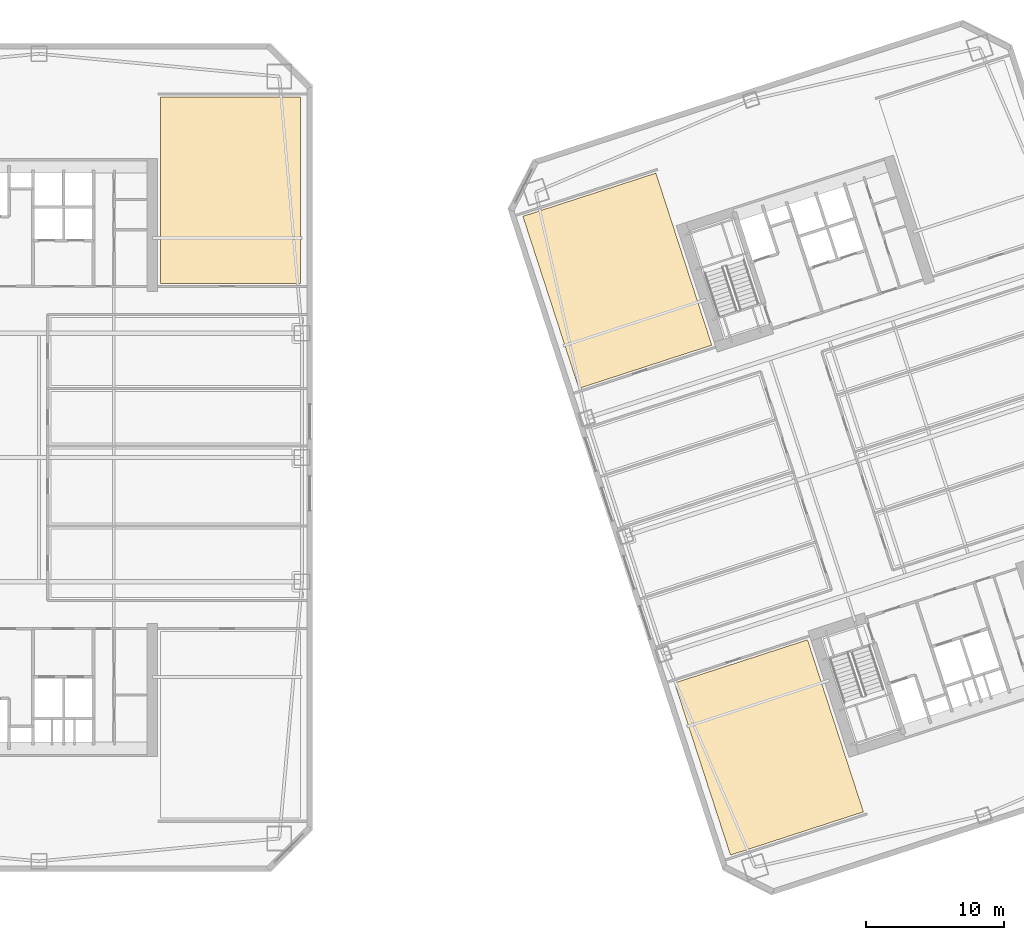
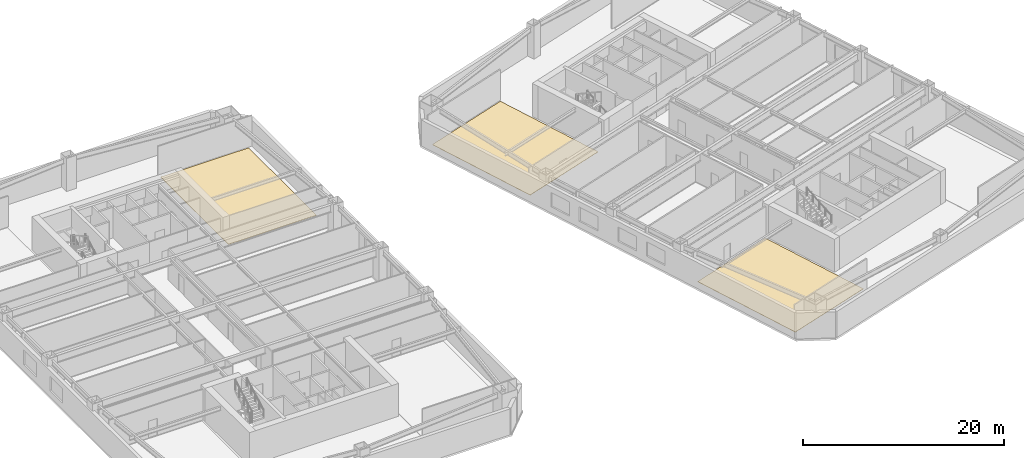
# One storey, part 20 of 24: 3 coverings.
"""IFC4 building model written with IfcOpenShell, lengths in metres."""

import ifcopenshell
import ifcopenshell.guid

model = None  # the IFC model being written
_history = None  # IfcOwnerHistory: only IFC2X3 demands one
_inside = {}  # id of a spatial element -> (the spatial element, [elements in it])
_under = {}  # id of a project, library or spatial element -> (it, [spatial elements below it])
_declared = {}  # id of a project -> (the project, [libraries it declares])
_typed = {}  # id of a type object -> (the type object, [elements of that type])
_made_of = {}  # id of a material, layer set ... -> (it, [elements and type objects made of it])


def new_model(schema):
    """Start an empty IFC model of exactly this schema.

    Asked for "IFC4X3", IfcOpenShell would pick the latest addendum, in which some entities
    have other attributes; the version numbers below select the first issue.
    IFC2X3 requires an IfcOwnerHistory on every rooted entity: one is made here for all.
    """
    global model, _history
    if schema == "IFC4X3":
        model = ifcopenshell.file(schema_version=(4, 3, 0, 0))
    else:
        model = ifcopenshell.file(schema=schema)
    _inside.clear()
    _under.clear()
    _declared.clear()
    _typed.clear()
    _made_of.clear()
    _history = None
    if model.schema == "IFC2X3":
        org = make("IfcOrganization", Name="unknown")
        user = make(
            "IfcPersonAndOrganization",
            ThePerson=make("IfcPerson", FamilyName="unknown"),
            TheOrganization=org,
        )
        app = make(
            "IfcApplication",
            ApplicationDeveloper=org,
            Version="unknown",
            ApplicationFullName="unknown",
            ApplicationIdentifier="unknown",
        )
        _history = make(
            "IfcOwnerHistory",
            OwningUser=user,
            OwningApplication=app,
            ChangeAction="ADDED",
            CreationDate=0,
        )
    return model


def make(cls, **values):
    """One entity of the class cls with the attributes given. An attribute that is None is left unset."""
    return model.create_entity(
        cls, **{name: value for name, value in values.items() if value is not None}
    )


def rooted(cls, **values):
    """An entity with a GlobalId (a new one), such as an element, a storey or a relation."""
    return make(cls, GlobalId=ifcopenshell.guid.new(), OwnerHistory=_history, **values)


def si_unit(unit_type, name, prefix=None):
    """IfcSIUnit, for example si_unit("LENGTHUNIT", "METRE", prefix="MILLI")."""
    return make("IfcSIUnit", UnitType=unit_type, Prefix=prefix, Name=name)


def assignment(units):
    """IfcUnitAssignment: the units of a project."""
    return None if units is None else make("IfcUnitAssignment", Units=units)


def point(xyz):
    """IfcCartesianPoint."""
    return None if xyz is None else make("IfcCartesianPoint", Coordinates=xyz)


def direction(xyz):
    """IfcDirection."""
    return None if xyz is None else make("IfcDirection", DirectionRatios=xyz)


def frame(location, z_axis=None, x_axis=None):
    """IfcAxis2Placement3D, a coordinate frame: its origin and axes. An axis left out is left unset."""
    return make(
        "IfcAxis2Placement3D",
        Location=point(location),
        Axis=direction(z_axis),
        RefDirection=direction(x_axis),
    )


def origin():
    """The frame at (0, 0, 0) with its axes left unset."""
    return frame((0.0, 0.0, 0.0))


def place(relative_to, where):
    """IfcLocalPlacement: puts the frame where relative to a parent placement (None: the world)."""
    return make(
        "IfcLocalPlacement", PlacementRelTo=relative_to, RelativePlacement=where
    )


def context(
    kind, dimensions, precision=None, world=None, true_north=None, identifier=None
):
    """IfcGeometricRepresentationContext, for example the 3D "Model" context."""
    return make(
        "IfcGeometricRepresentationContext",
        ContextIdentifier=identifier,
        ContextType=kind,
        CoordinateSpaceDimension=dimensions,
        Precision=precision,
        WorldCoordinateSystem=world,
        TrueNorth=true_north,
    )


def subcontext(parent, identifier, kind, view, scale=None):
    """IfcGeometricRepresentationSubContext, for example "Body" below "Model"."""
    return make(
        "IfcGeometricRepresentationSubContext",
        ContextIdentifier=identifier,
        ContextType=kind,
        ParentContext=parent,
        TargetScale=scale,
        TargetView=view,
    )


def project(units=None, contexts=None):
    """IfcProject with its units and contexts."""
    return rooted(
        "IfcProject",
        Name="project",
        RepresentationContexts=contexts,
        UnitsInContext=assignment(units),
    )


def spatial(cls, under=None, at=None, **own):
    """A site, building, storey or space (cls), placed at a placement, below another one or the project."""
    s = rooted(cls, ObjectPlacement=at, **own)
    if under is not None:
        _under.setdefault(under.id(), (under, []))[1].append(s)
    return s


def polyline(points):
    """IfcPolyline through the points."""
    return make("IfcPolyline", Points=[point(p) for p in points])


def outline(outer, holes=None, kind="AREA"):
    """IfcArbitraryClosedProfileDef: a profile drawn as a closed curve; with holes, ...WithVoids."""
    if holes is None:
        return make("IfcArbitraryClosedProfileDef", ProfileType=kind, OuterCurve=outer)
    return make(
        "IfcArbitraryProfileDefWithVoids",
        ProfileType=kind,
        OuterCurve=outer,
        InnerCurves=holes,
    )


def extrude(swept, where, along, depth):
    """IfcExtrudedAreaSolid: the profile swept, set in the frame where, extruded along a direction by depth."""
    return make(
        "IfcExtrudedAreaSolid",
        SweptArea=swept,
        Position=where,
        ExtrudedDirection=direction(along),
        Depth=depth,
    )


def shape(context_of_items, identifier, shape_type, items):
    """IfcShapeRepresentation: the items that make up one representation, for example the "Body"."""
    return make(
        "IfcShapeRepresentation",
        ContextOfItems=context_of_items,
        RepresentationIdentifier=identifier,
        RepresentationType=shape_type,
        Items=items,
    )


def material(Name=None, Category=None):
    """IfcMaterial."""
    return make("IfcMaterial", Name=Name, Category=Category)


def layer(
    of_material, thickness, ventilated=None, Name=None, Category=None, Priority=None
):
    """IfcMaterialLayer: one layer of a wall or slab, of a material (None: an air gap)."""
    return make(
        "IfcMaterialLayer",
        Material=of_material,
        LayerThickness=thickness,
        IsVentilated=ventilated,
        Name=Name,
        Category=Category,
        Priority=Priority,
    )


def layer_set(layers, Name=None):
    """IfcMaterialLayerSet."""
    return make("IfcMaterialLayerSet", MaterialLayers=layers, LayerSetName=Name)


def made_of(thing, what):
    """Note that an element or type object is made of a material, layer set ...; save() writes the relation."""
    if what is not None:
        _made_of.setdefault(what.id(), (what, []))[1].append(thing)
    return thing


def type_object(cls, material=None, **own):
    """A type object (cls), such as IfcWallType, which elements share."""
    return made_of(rooted(cls, **own), material)


def element(
    cls,
    number,
    at=None,
    inside=None,
    cuts=None,
    type_object=None,
    material=None,
    context=None,
    identifier="Body",
    shape_type=None,
    held_by="IfcProductDefinitionShape",
    body=None,
    shapes=None,
    **own,
):
    """One element of the class cls, such as IfcWall. Its Tag is "e" and its number.

    at: its placement. inside: the storey or other place that contains it. cuts: it is an
    opening in that element (IfcRelVoidsElement). A single representation is given by context,
    identifier, shape_type and body (its items); several are given by shapes. held_by: the class
    of the entity that holds the representations. save() writes the other relations.
    """
    e = rooted(cls, Tag="e%d" % number, ObjectPlacement=at, **own)
    if body is not None:
        shapes = [shape(context, identifier, shape_type, body)]
    if shapes is not None:
        e.Representation = make(held_by, Representations=shapes)
    if inside is not None:
        _inside.setdefault(inside.id(), (inside, []))[1].append(e)
    if cuts is not None:
        rooted(
            "IfcRelVoidsElement", RelatingBuildingElement=cuts, RelatedOpeningElement=e
        )
    if type_object is not None:
        _typed.setdefault(type_object.id(), (type_object, []))[1].append(e)
    return made_of(e, material)


def aggregate(whole, parts):
    """IfcRelAggregates: a whole, such as a stair, and the parts it consists of."""
    return rooted("IfcRelAggregates", RelatingObject=whole, RelatedObjects=parts)


def save(model, path):
    """Write the relations noted so far, then the file.

    IfcRelAggregates (storeys below a building ...), IfcRelContainedInSpatialStructure (elements
    in a storey), IfcRelDefinesByType, IfcRelAssociatesMaterial and IfcRelDeclares: one each for
    every whole, place, type object, material and project.
    """
    for whole, parts in _under.values():
        aggregate(whole, parts)
    for where, things in _inside.values():
        rooted(
            "IfcRelContainedInSpatialStructure",
            RelatedElements=things,
            RelatingStructure=where,
        )
    for kind, things in _typed.values():
        rooted("IfcRelDefinesByType", RelatedObjects=things, RelatingType=kind)
    for what, things in _made_of.values():
        rooted("IfcRelAssociatesMaterial", RelatedObjects=things, RelatingMaterial=what)
    for by, libraries in _declared.values():
        rooted("IfcRelDeclares", RelatingContext=by, RelatedDefinitions=libraries)
    model.write(path)


model = new_model("IFC4")

# Units and contexts
model_context = context("Model", 3, precision=1e-05, world=origin(), true_north=direction((0.0, 1.0)))
body_context = subcontext(model_context, "Body", "Model", "MODEL_VIEW")
ifc_project = project(units=[si_unit("LENGTHUNIT", "METRE"), si_unit("AREAUNIT", "SQUARE_METRE"), si_unit("VOLUMEUNIT", "CUBIC_METRE"), si_unit("PLANEANGLEUNIT", "RADIAN"), si_unit("MASSUNIT", "GRAM", prefix="KILO")], contexts=[model_context])

# Site, building, storey
site_placement = place(None, origin())
site = spatial("IfcSite", under=ifc_project, at=site_placement, CompositionType="ELEMENT")
building_placement = place(site_placement, origin())
building = spatial("IfcBuilding", under=site, at=building_placement, Name="Qiaolan Cultural Towers", CompositionType="ELEMENT")
storey_placement = place(building_placement, frame((0.0, 0.0, 30.0)))
storey = spatial("IfcBuildingStorey", under=building, at=storey_placement, Name="L06", CompositionType="ELEMENT", Elevation=30.0)

# Coverings
ifc_material = material(Name="Honed Terrazzo & Raised Access Flooring", Category="concrete")
ifc_layer = layer(ifc_material, 0.0400390625)
ifc_layer_set = layer_set([ifc_layer], Name="Honed Terrazzo & Raised Access Flooring")
covering_type = type_object("IfcCoveringType", Name="COV-FLR-STONE", PredefinedType="FLOORING", material=ifc_layer_set)
covering_1_placement = place(storey_placement, origin())
element("IfcCovering", 1, at=covering_1_placement, inside=storey, type_object=covering_type, Name="L06 Corner Gallery Exhibition Room Finish Flooring", PredefinedType="FLOORING", context=body_context, shape_type="SweptSolid", body=[
    extrude(outline(polyline([(48.929931640625, 46.6201171875), (48.929931640625, 60.1298828125), (38.800048828125, 60.1298828125), (38.800048828125, 46.6201171875), (48.929931640625, 46.6201171875)])), origin(), (0.0, 0.0, 1.0), 0.0400390625),
])
covering_2_placement = place(storey_placement, origin())
element("IfcCovering", 2, at=covering_2_placement, inside=storey, type_object=covering_type, Name="L06 Corner Gallery Exhibition Room Finish Flooring", PredefinedType="FLOORING", context=body_context, shape_type="SweptSolid", body=[
    extrude(outline(polyline([(89.7197265625, 8.326904296875), (85.66845703125, 20.795166015625), (76.034423828125, 17.664794921875), (80.08544921875, 5.196533203125), (89.7197265625, 8.326904296875)])), origin(), (0.0, 0.0, 1.0), 0.0400390625),
])
covering_3_placement = place(storey_placement, origin())
element("IfcCovering", 3, at=covering_3_placement, inside=storey, type_object=covering_type, Name="L06 Corner Conservation Studio Finish Flooring", PredefinedType="FLOORING", context=body_context, shape_type="SweptSolid", body=[
    extrude(outline(polyline([(78.734130859375, 42.136962890625), (74.682861328125, 54.605224609375), (65.048828125, 51.474853515625), (69.099853515625, 39.006591796875), (78.734130859375, 42.136962890625)])), origin(), (0.0, 0.0, 1.0), 0.0400390625),
])

save(model, "model.ifc")
